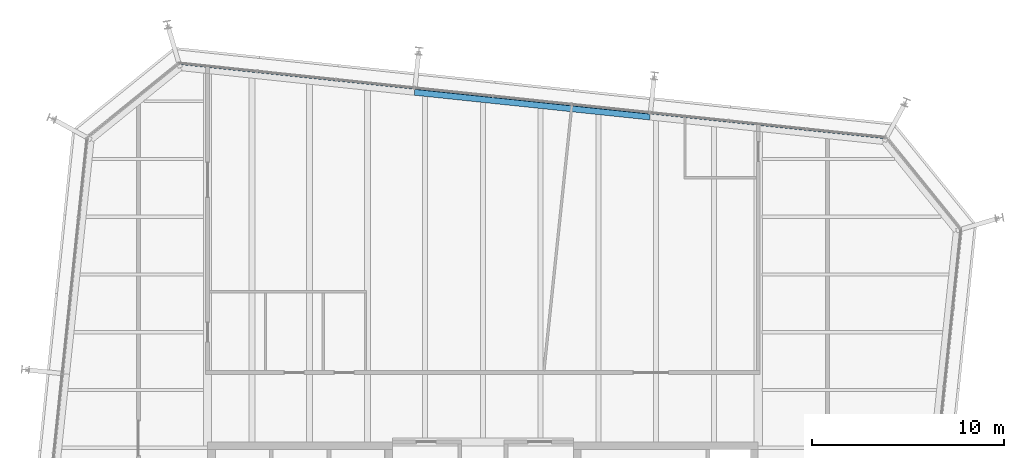
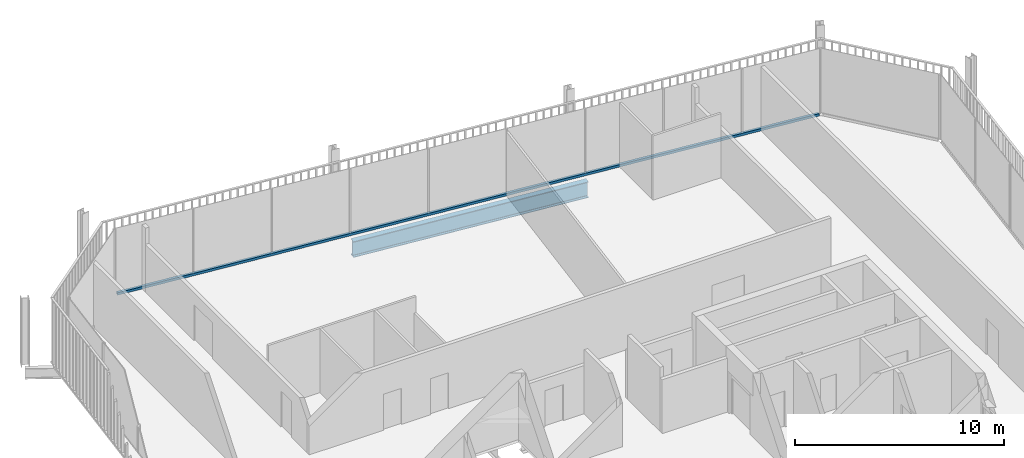
# One storey, part 13 of 20: 1 beam, 1 member, 1 element without a shape of its own.
"""IFC4 building model written with IfcOpenShell, lengths in metres."""

from ifc_helpers import new_model, si_unit, direction, frame, origin, origin_2d, place, context, subcontext, project, spatial, rectangle, i_section, extrude, material, layer, layer_set, material_profile, profile_set, type_object, element, aggregate, save


model = new_model("IFC4")

# Units and contexts
model_context = context("Model", 3, precision=1e-05, world=origin(), true_north=direction((0.0, 1.0)))
body_context = subcontext(model_context, "Body", "Model", "MODEL_VIEW")
ifc_project = project(units=[si_unit("LENGTHUNIT", "METRE"), si_unit("AREAUNIT", "SQUARE_METRE"), si_unit("VOLUMEUNIT", "CUBIC_METRE"), si_unit("PLANEANGLEUNIT", "RADIAN"), si_unit("MASSUNIT", "GRAM", prefix="KILO")], contexts=[model_context])

# Site, building, storey
site_placement = place(None, origin())
site = spatial("IfcSite", under=ifc_project, at=site_placement, CompositionType="ELEMENT")
building_placement = place(site_placement, origin())
building = spatial("IfcBuilding", under=site, at=building_placement, Name="Millrace Tower", CompositionType="ELEMENT")
storey_placement = place(building_placement, frame((0.0, 0.0, 295.5)))
storey = spatial("IfcBuildingStorey", under=building, at=storey_placement, Name="L68", CompositionType="ELEMENT", Elevation=295.5)

# Curtain wall, member
ifc_material_1 = material(Name="Aluminium and glass", Category="aluminium")
ifc_layer = layer(ifc_material_1, 0.14990234375)
ifc_layer_set = layer_set([ifc_layer], Name="Aluminium and glass")
curtain_wall_type = type_object("IfcCurtainWallType", Name="CW-1 office vision curtain wall", PredefinedType="NOTDEFINED", material=ifc_layer_set)
curtain_wall_placement = place(storey_placement, origin())
curtain_wall = element("IfcCurtainWall", 1, at=curtain_wall_placement, inside=storey, type_object=curtain_wall_type, Name="Curtain wall E-F06 L68", PredefinedType="NOTDEFINED")
ifc_material_2 = material(Name="Aluminium", Category="aluminium")
ifc_material_profile_1 = material_profile(ifc_material_2, rectangle(XDim=0.14990234375, YDim=0.139892578125, at=origin_2d()))
ifc_profile_set_1 = profile_set([ifc_material_profile_1], Name="Aluminium")
member_type = type_object("IfcMemberType", Name="CW-1 office vision curtain wall transom", PredefinedType="USERDEFINED", material=ifc_profile_set_1)
member_placement = place(storey_placement, frame((20.83544921875, 25.1318359375, 0.070068359375), z_axis=(-0.994521952886, 0.104527916025, 0.0), x_axis=(-0.104527916025, -0.994521952886, 0.0)))
member = element("IfcMember", 2, at=member_placement, type_object=member_type, Name="CW1 transom E-F06.1", ObjectType="TRANSOM", PredefinedType="USERDEFINED", context=body_context, shape_type="SweptSolid", body=[
    extrude(rectangle(XDim=0.14990234375, YDim=0.139892578125, at=origin_2d()), origin(), (0.0, 0.0, 1.0), 36.699951171875),
])
aggregate(curtain_wall, [member])

# Beam
ifc_material_3 = material(Name="Steel ASTM A992 Grade 50", Category="steel")
ifc_material_profile_2 = material_profile(ifc_material_3, i_section(OverallWidth=0.307373046875, OverallDepth=0.927001953125, WebThickness=0.01953125, FlangeThickness=0.031982421875, FilletRadius=0.01904296875, at=origin_2d()))
ifc_profile_set_2 = profile_set([ifc_material_profile_2], Name="Steel ASTM A992 Grade 50")
beam_type = type_object("IfcBeamType", Name="Ring beam medium span W36x194", PredefinedType="SPANDREL", material=ifc_profile_set_2)
beam_placement = place(storey_placement, frame((-3.554443359375, 27.46533203125, -0.62353515625), z_axis=(0.994522406476, -0.104523600289, 0.0), x_axis=(0.104523600289, 0.994522406476, 0.0)))
element("IfcBeam", 3, at=beam_placement, inside=storey, type_object=beam_type, Name="RNG-E-L68-S1-06", PredefinedType="SPANDREL", context=body_context, shape_type="SweptSolid", body=[
    extrude(i_section(OverallWidth=0.307373046875, OverallDepth=0.927001953125, WebThickness=0.01953125, FlangeThickness=0.031982421875, FilletRadius=0.01904296875, at=origin_2d()), origin(), (0.0, 0.0, 1.0), 12.300048828125),
])

save(model, "model.ifc")
